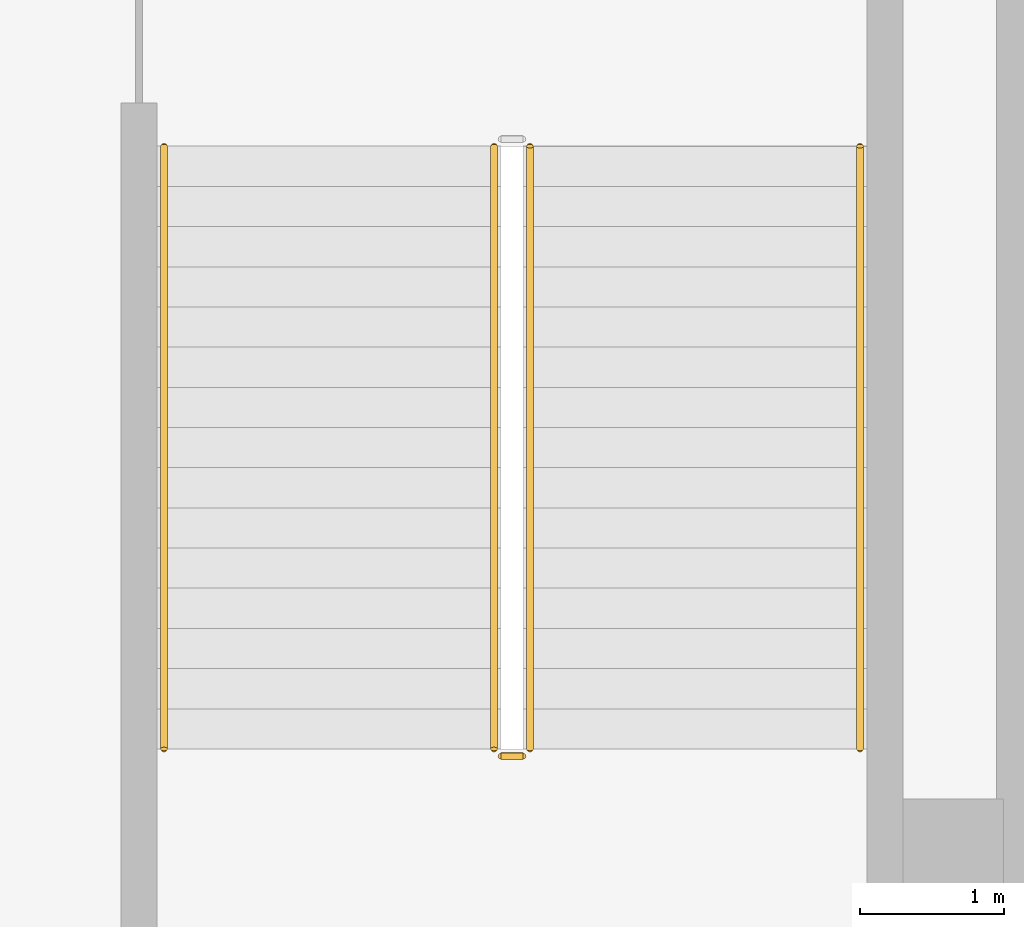
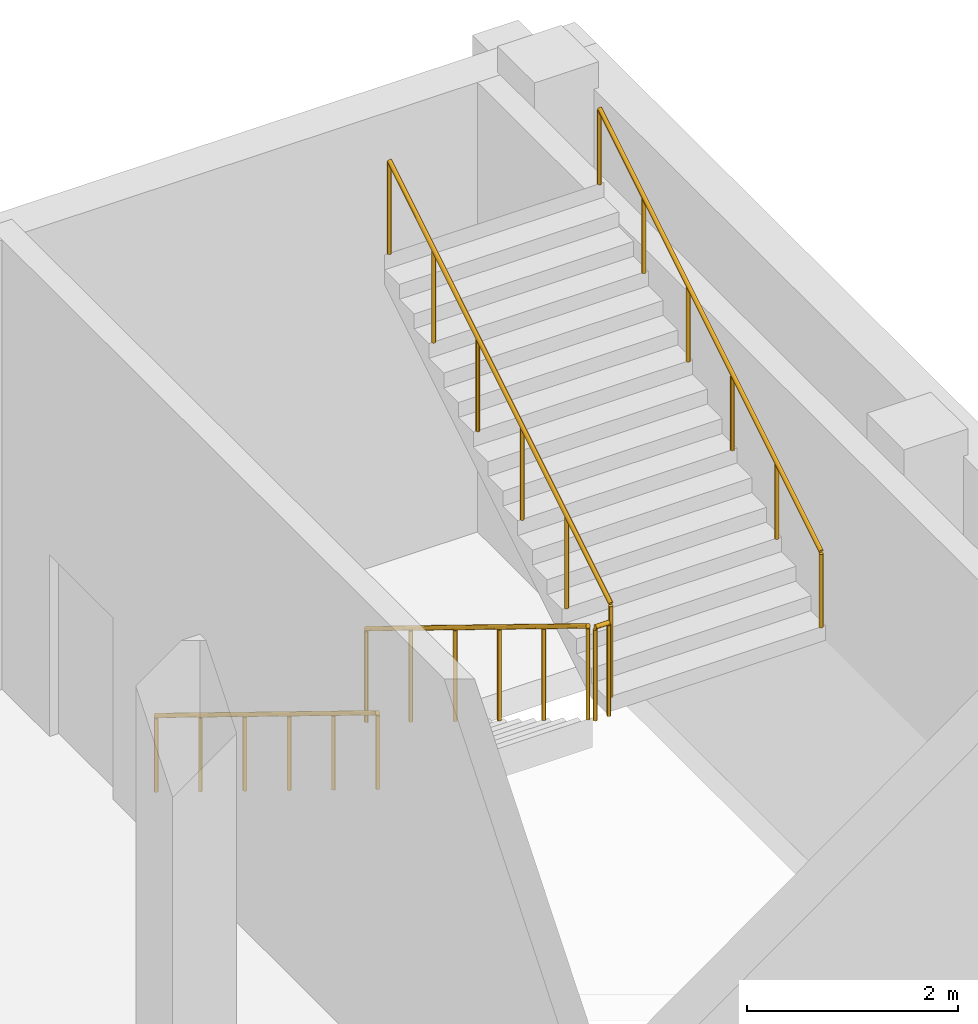
# One storey, part 33 of 35: 5 railings.
"""IFC4 building model written with IfcOpenShell, lengths in metres."""

from ifc_helpers import new_model, si_unit, direction, frame, origin, origin_2d, place, context, subcontext, project, spatial, circle, extrude, material, type_object, element, save


model = new_model("IFC4")

# Units and contexts
model_context = context("Model", 3, precision=1e-05, world=origin(), true_north=direction((0.0, 1.0)))
body_context = subcontext(model_context, "Body", "Model", "MODEL_VIEW")
ifc_project = project(units=[si_unit("LENGTHUNIT", "METRE"), si_unit("AREAUNIT", "SQUARE_METRE"), si_unit("VOLUMEUNIT", "CUBIC_METRE"), si_unit("PLANEANGLEUNIT", "RADIAN"), si_unit("MASSUNIT", "GRAM", prefix="KILO")], contexts=[model_context])

# Site, building, storey
site_placement = place(None, origin())
site = spatial("IfcSite", under=ifc_project, at=site_placement, CompositionType="ELEMENT")
building_placement = place(site_placement, origin())
building = spatial("IfcBuilding", under=site, at=building_placement, Name="Tamorin Gate", CompositionType="ELEMENT")
storey_placement = place(building_placement, frame((0.0, 0.0, 8.0)))
storey = spatial("IfcBuildingStorey", under=building, at=storey_placement, Name="L01", CompositionType="ELEMENT", Elevation=8.0)

# Railings
ifc_material = material(Name="Steel, galvanised", Category="steel")
railing_type_1 = type_object("IfcRailingType", Name="Steel guard 1100 museum", PredefinedType="GUARDRAIL", material=ifc_material)
railing_1_placement = place(storey_placement, frame((206.5, 95.60009765625, 0.171875)))
element("IfcRailing", 1, at=railing_1_placement, inside=storey, type_object=railing_type_1, Name="L01 PS9 stair guard 1", PredefinedType="GUARDRAIL", context=body_context, shape_type="SweptSolid", body=[
    extrude(circle(Radius=0.02392578125, at=origin_2d()), frame((0.0, 0.0, 1.076171875), z_axis=(0.0, -0.852256472501, 0.523124177495), x_axis=(1.0, 0.0, 0.0)), (0.0, 0.0, 1.0), 4.92822265625),
    extrude(circle(Radius=0.02099609375, at=origin_2d()), origin(), (0.0, 0.0, 1.0), 1.052001953125),
    extrude(circle(Radius=0.02099609375, at=origin_2d()), frame((0.0, -0.840087890625, 0.515625)), (0.0, 0.0, 1.0), 1.052001953125),
    extrude(circle(Radius=0.02099609375, at=origin_2d()), frame((0.0, -1.68017578125, 1.03125)), (0.0, 0.0, 1.0), 1.052001953125),
    extrude(circle(Radius=0.02099609375, at=origin_2d()), frame((0.0, -2.52001953125, 1.546875)), (0.0, 0.0, 1.0), 1.052001953125),
    extrude(circle(Radius=0.02099609375, at=origin_2d()), frame((0.0, -3.360107421875, 2.0625)), (0.0, 0.0, 1.0), 1.052001953125),
    extrude(circle(Radius=0.02099609375, at=origin_2d()), frame((0.0, -4.2001953125, 2.578125)), (0.0, 0.0, 1.0), 1.052001953125),
])
railing_2_placement = place(storey_placement, frame((206.550048828125, 91.35009765625, 2.75)))
element("IfcRailing", 2, at=railing_2_placement, inside=storey, type_object=railing_type_1, Name="L01 PS9 stair guard 2", PredefinedType="GUARDRAIL", context=body_context, shape_type="SweptSolid", body=[
    extrude(circle(Radius=0.02392578125, at=origin_2d()), frame((0.0, 0.0, 1.076171875), z_axis=(1.0, 0.0, 0.0), x_axis=(0.0, 1.0, 0.0)), (0.0, 0.0, 1.0), 0.14990234375),
    extrude(circle(Radius=0.02099609375, at=origin_2d()), origin(), (0.0, 0.0, 1.0), 1.052001953125),
    extrude(circle(Radius=0.02099609375, at=origin_2d()), frame((0.14990234375, 0.0, 0.0)), (0.0, 0.0, 1.0), 1.052001953125),
])
railing_3_placement = place(storey_placement, frame((206.75, 91.39990234375, 2.921875)))
element("IfcRailing", 3, at=railing_3_placement, inside=storey, type_object=railing_type_1, Name="L01 PS9 stair guard 3", PredefinedType="GUARDRAIL", context=body_context, shape_type="SweptSolid", body=[
    extrude(circle(Radius=0.02392578125, at=origin_2d()), frame((0.0, 0.0, 1.076171875), z_axis=(0.0, 0.852256472501, 0.523124177495), x_axis=(-1.0, 0.0, 0.0)), (0.0, 0.0, 1.0), 4.92822265625),
    extrude(circle(Radius=0.02099609375, at=origin_2d()), origin(), (0.0, 0.0, 1.0), 1.052001953125),
    extrude(circle(Radius=0.02099609375, at=origin_2d()), frame((0.0, 0.840087890625, 0.515625)), (0.0, 0.0, 1.0), 1.052001953125),
    extrude(circle(Radius=0.02099609375, at=origin_2d()), frame((0.0, 1.68017578125, 1.03125)), (0.0, 0.0, 1.0), 1.052001953125),
    extrude(circle(Radius=0.02099609375, at=origin_2d()), frame((0.0, 2.52001953125, 1.546875)), (0.0, 0.0, 1.0), 1.052001953125),
    extrude(circle(Radius=0.02099609375, at=origin_2d()), frame((0.0, 3.360107421875, 2.0625)), (0.0, 0.0, 1.0), 1.052001953125),
    extrude(circle(Radius=0.02099609375, at=origin_2d()), frame((0.0, 4.2001953125, 2.578125)), (0.0, 0.0, 1.0), 1.052001953125),
])
railing_type_2 = type_object("IfcRailingType", Name="Steel handrail 900 museum", PredefinedType="HANDRAIL", material=ifc_material)
railing_4_placement = place(storey_placement, frame((204.199951171875, 95.60009765625, 0.171875)))
element("IfcRailing", 4, at=railing_4_placement, inside=storey, type_object=railing_type_2, Name="L01 PS9 stair handrail 1", PredefinedType="HANDRAIL", context=body_context, shape_type="SweptSolid", body=[
    extrude(circle(Radius=0.02392578125, at=origin_2d()), frame((0.0, 0.0, 0.8759765625), z_axis=(0.0, -0.852256472501, 0.523124177495), x_axis=(1.0, 0.0, 0.0)), (0.0, 0.0, 1.0), 4.92822265625),
    extrude(circle(Radius=0.02099609375, at=origin_2d()), origin(), (0.0, 0.0, 1.0), 0.851806640625),
    extrude(circle(Radius=0.02099609375, at=origin_2d()), frame((0.0, -0.840087890625, 0.515625)), (0.0, 0.0, 1.0), 0.851806640625),
    extrude(circle(Radius=0.02099609375, at=origin_2d()), frame((0.0, -1.68017578125, 1.03125)), (0.0, 0.0, 1.0), 0.851806640625),
    extrude(circle(Radius=0.02099609375, at=origin_2d()), frame((0.0, -2.52001953125, 1.546875)), (0.0, 0.0, 1.0), 0.851806640625),
    extrude(circle(Radius=0.02099609375, at=origin_2d()), frame((0.0, -3.360107421875, 2.0625)), (0.0, 0.0, 1.0), 0.851806640625),
    extrude(circle(Radius=0.02099609375, at=origin_2d()), frame((0.0, -4.2001953125, 2.578125)), (0.0, 0.0, 1.0), 0.851806640625),
])
railing_5_placement = place(storey_placement, frame((209.050048828125, 91.39990234375, 2.921875)))
element("IfcRailing", 5, at=railing_5_placement, inside=storey, type_object=railing_type_2, Name="L01 PS9 stair handrail 2", PredefinedType="HANDRAIL", context=body_context, shape_type="SweptSolid", body=[
    extrude(circle(Radius=0.02392578125, at=origin_2d()), frame((0.0, 0.0, 0.8759765625), z_axis=(0.0, 0.852256472501, 0.523124177495), x_axis=(-1.0, 0.0, 0.0)), (0.0, 0.0, 1.0), 4.92822265625),
    extrude(circle(Radius=0.02099609375, at=origin_2d()), origin(), (0.0, 0.0, 1.0), 0.851806640625),
    extrude(circle(Radius=0.02099609375, at=origin_2d()), frame((0.0, 0.840087890625, 0.515625)), (0.0, 0.0, 1.0), 0.851806640625),
    extrude(circle(Radius=0.02099609375, at=origin_2d()), frame((0.0, 1.68017578125, 1.03125)), (0.0, 0.0, 1.0), 0.851806640625),
    extrude(circle(Radius=0.02099609375, at=origin_2d()), frame((0.0, 2.52001953125, 1.546875)), (0.0, 0.0, 1.0), 0.851806640625),
    extrude(circle(Radius=0.02099609375, at=origin_2d()), frame((0.0, 3.360107421875, 2.0625)), (0.0, 0.0, 1.0), 0.851806640625),
    extrude(circle(Radius=0.02099609375, at=origin_2d()), frame((0.0, 4.2001953125, 2.578125)), (0.0, 0.0, 1.0), 0.851806640625),
])

save(model, "model.ifc")
